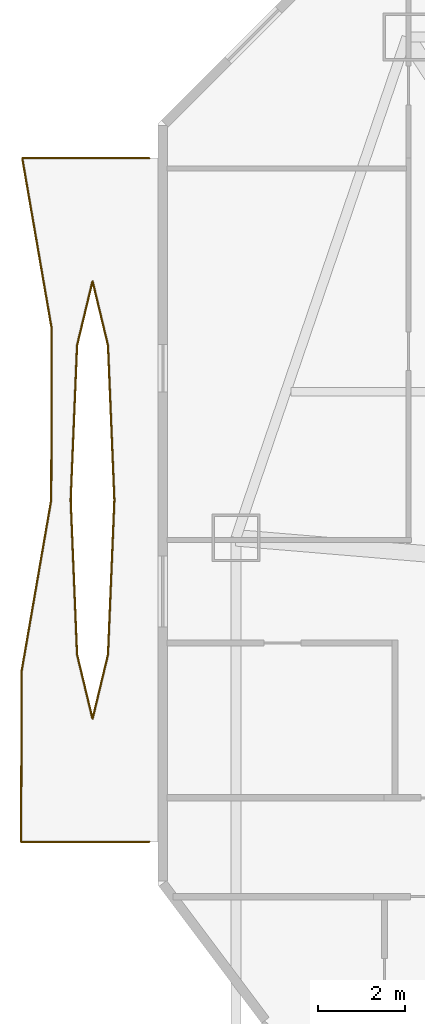
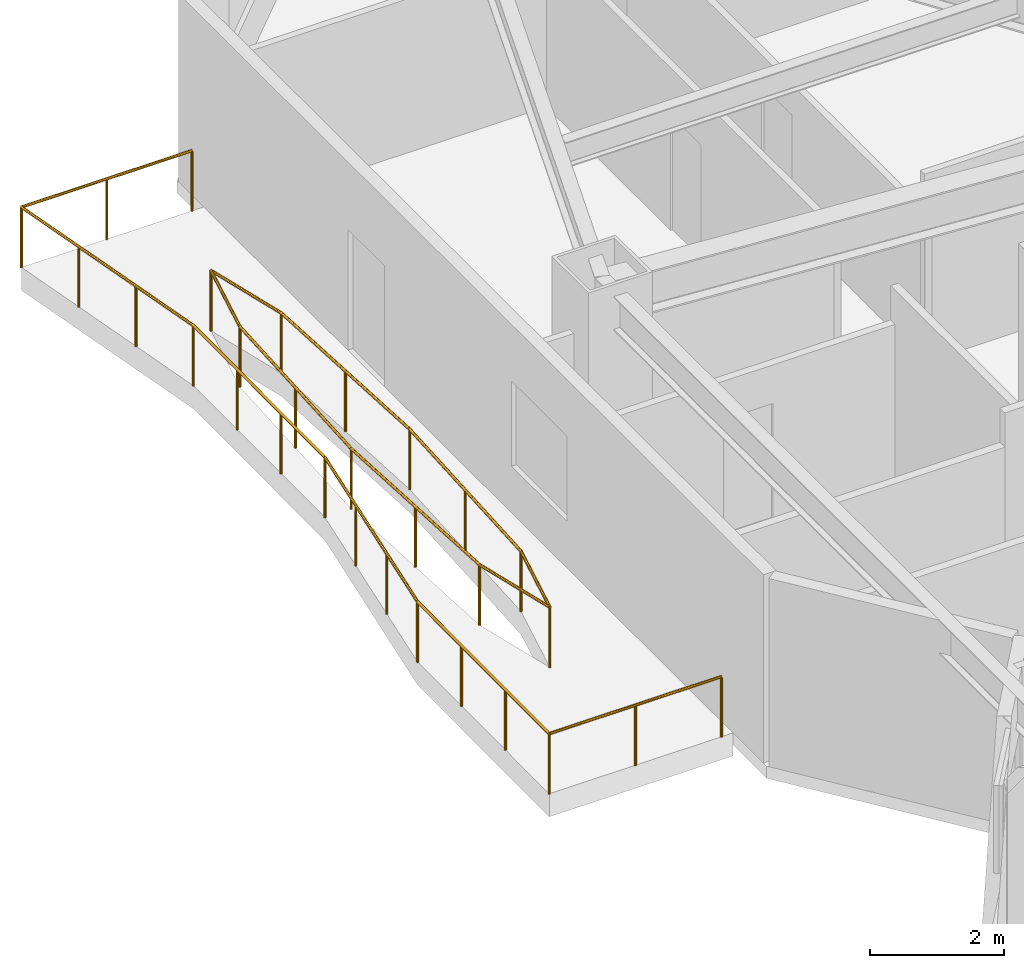
# One storey, part 16 of 16: 4 railings.
"""IFC4 building model written with IfcOpenShell, lengths in metres."""

from ifc_helpers import new_model, si_unit, direction, frame, origin, origin_2d, place, context, subcontext, project, spatial, circle, extrude, material, type_object, element, save


model = new_model("IFC4")

# Units and contexts
model_context = context("Model", 3, precision=1e-05, world=origin(), true_north=direction((0.0, 1.0)))
body_context = subcontext(model_context, "Body", "Model", "MODEL_VIEW")
ifc_project = project(units=[si_unit("LENGTHUNIT", "METRE"), si_unit("AREAUNIT", "SQUARE_METRE"), si_unit("VOLUMEUNIT", "CUBIC_METRE"), si_unit("PLANEANGLEUNIT", "RADIAN"), si_unit("MASSUNIT", "GRAM", prefix="KILO")], contexts=[model_context])

# Site, building, storey
site_placement = place(None, origin())
site = spatial("IfcSite", under=ifc_project, at=site_placement, CompositionType="ELEMENT")
building_placement = place(site_placement, origin())
building = spatial("IfcBuilding", under=site, at=building_placement, Name="Khamvora Tower", CompositionType="ELEMENT")
storey_placement = place(building_placement, frame((0.0, 0.0, 55.199951171875)))
storey = spatial("IfcBuildingStorey", under=building, at=storey_placement, Name="L13", CompositionType="ELEMENT", Elevation=55.199951171875)

# Railings
ifc_material = material(Name="Stainless Steel 316 and Laminated Glass", Category="steel")
railing_type = type_object("IfcRailingType", Name="RAL-GAL-1120", PredefinedType="GUARDRAIL", material=ifc_material)
railing_1_placement = place(storey_placement, frame((3.800048828125, 32.199951171875, 0.0)))
element("IfcRailing", 1, at=railing_1_placement, inside=storey, type_object=railing_type, Name="L13 lens gallery south perimeter guardrail WL2", PredefinedType="GUARDRAIL", context=body_context, shape_type="SweptSolid", body=[
    extrude(circle(Radius=0.02392578125, at=origin_2d()), frame((0.0, 0.0, 1.09619140625), z_axis=(-1.0, 0.0, 0.0), x_axis=(0.0, -1.0, 0.0)), (0.0, 0.0, 1.0), 2.967041015625),
    extrude(circle(Radius=0.02392578125, at=origin_2d()), frame((-2.967041015625, 0.0, 1.09619140625), z_axis=(0.003275833836, 0.999994634442, 0.0), x_axis=(-0.999994634442, 0.003275833836, 0.0)), (0.0, 0.0, 1.0), 3.949951171875),
    extrude(circle(Radius=0.02392578125, at=origin_2d()), frame((-2.9541015625, 3.949951171875, 1.09619140625), z_axis=(0.17040043076, 0.985374899821, 0.0), x_axis=(-0.985374899821, 0.17040043076, 0.0)), (0.0, 0.0, 1.0), 4.0087890625),
    extrude(circle(Radius=0.02099609375, at=origin_2d()), origin(), (0.0, 0.0, 1.0), 1.072021484375),
    extrude(circle(Radius=0.02099609375, at=origin_2d()), frame((-1.4833984375, 0.0, 0.0)), (0.0, 0.0, 1.0), 1.072021484375),
    extrude(circle(Radius=0.02099609375, at=origin_2d()), frame((-2.967041015625, 0.0, 0.0)), (0.0, 0.0, 1.0), 1.072021484375),
    extrude(circle(Radius=0.02099609375, at=origin_2d()), frame((-2.962646484375, 1.316650390625, 0.0)), (0.0, 0.0, 1.0), 1.072021484375),
    extrude(circle(Radius=0.02099609375, at=origin_2d()), frame((-2.95849609375, 2.63330078125, 0.0)), (0.0, 0.0, 1.0), 1.072021484375),
    extrude(circle(Radius=0.02099609375, at=origin_2d()), frame((-2.9541015625, 3.949951171875, 0.0)), (0.0, 0.0, 1.0), 1.072021484375),
    extrude(circle(Radius=0.02099609375, at=origin_2d()), frame((-2.726318359375, 5.2666015625, 0.0)), (0.0, 0.0, 1.0), 1.072021484375),
    extrude(circle(Radius=0.02099609375, at=origin_2d()), frame((-2.498779296875, 6.58349609375, 0.0)), (0.0, 0.0, 1.0), 1.072021484375),
    extrude(circle(Radius=0.02099609375, at=origin_2d()), frame((-2.27099609375, 7.900146484375, 0.0)), (0.0, 0.0, 1.0), 1.072021484375),
])
railing_2_placement = place(storey_placement, frame((1.529052734375, 40.10009765625, 0.0)))
element("IfcRailing", 2, at=railing_2_placement, inside=storey, type_object=railing_type, Name="L13 lens gallery north perimeter guardrail WL2", PredefinedType="GUARDRAIL", context=body_context, shape_type="SweptSolid", body=[
    extrude(circle(Radius=0.02392578125, at=origin_2d()), frame((0.0, 0.0, 1.09619140625), z_axis=(0.003275833836, 0.999994634442, 0.0), x_axis=(-0.999994634442, 0.003275833836, 0.0)), (0.0, 0.0, 1.0), 3.949951171875),
    extrude(circle(Radius=0.02392578125, at=origin_2d()), frame((0.012939453125, 3.949951171875, 1.09619140625), z_axis=(-0.170114955113, 0.985424224406, 0.0), x_axis=(-0.985424224406, -0.170114955113, 0.0)), (0.0, 0.0, 1.0), 4.00830078125),
    extrude(circle(Radius=0.02392578125, at=origin_2d()), frame((-0.6689453125, 7.89990234375, 1.09619140625), z_axis=(1.0, 0.0, 0.0), x_axis=(0.0, 1.0, 0.0)), (0.0, 0.0, 1.0), 2.93994140625),
    extrude(circle(Radius=0.02099609375, at=origin_2d()), origin(), (0.0, 0.0, 1.0), 1.072021484375),
    extrude(circle(Radius=0.02099609375, at=origin_2d()), frame((0.00439453125, 1.316650390625, 0.0)), (0.0, 0.0, 1.0), 1.072021484375),
    extrude(circle(Radius=0.02099609375, at=origin_2d()), frame((0.008544921875, 2.63330078125, 0.0)), (0.0, 0.0, 1.0), 1.072021484375),
    extrude(circle(Radius=0.02099609375, at=origin_2d()), frame((0.012939453125, 3.949951171875, 0.0)), (0.0, 0.0, 1.0), 1.072021484375),
    extrude(circle(Radius=0.02099609375, at=origin_2d()), frame((-0.21435546875, 5.2666015625, 0.0)), (0.0, 0.0, 1.0), 1.072021484375),
    extrude(circle(Radius=0.02099609375, at=origin_2d()), frame((-0.441650390625, 6.583251953125, 0.0)), (0.0, 0.0, 1.0), 1.072021484375),
    extrude(circle(Radius=0.02099609375, at=origin_2d()), frame((-0.6689453125, 7.89990234375, 0.0)), (0.0, 0.0, 1.0), 1.072021484375),
    extrude(circle(Radius=0.02099609375, at=origin_2d()), frame((0.801025390625, 7.89990234375, 0.0)), (0.0, 0.0, 1.0), 1.072021484375),
    extrude(circle(Radius=0.02099609375, at=origin_2d()), frame((2.27099609375, 7.89990234375, 0.0)), (0.0, 0.0, 1.0), 1.072021484375),
])
railing_3_placement = place(storey_placement, frame((2.989013671875, 40.10009765625, 0.0)))
element("IfcRailing", 3, at=railing_3_placement, inside=storey, type_object=railing_type, Name="L13 lens gallery void guardrail WL2A", PredefinedType="GUARDRAIL", context=body_context, shape_type="SweptSolid", body=[
    extrude(circle(Radius=0.02392578125, at=origin_2d()), frame((0.0, 0.0, 1.09619140625), z_axis=(-0.041349567233, 0.999144740911, 0.0), x_axis=(-0.999144740911, -0.041349567233, 0.0)), (0.0, 0.0, 1.0), 3.578125),
    extrude(circle(Radius=0.02392578125, at=origin_2d()), frame((-0.14794921875, 3.574951171875, 1.09619140625), z_axis=(-0.233700305622, 0.972308678945, 0.0), x_axis=(-0.972308678945, -0.233700305622, 0.0)), (0.0, 0.0, 1.0), 1.523193359375),
    extrude(circle(Radius=0.02392578125, at=origin_2d()), frame((-0.50390625, 5.055908203125, 1.09619140625), z_axis=(-0.233851831104, -0.972272246384, 0.0), x_axis=(0.972272246384, -0.233851831104, 0.0)), (0.0, 0.0, 1.0), 1.523193359375),
    extrude(circle(Radius=0.02392578125, at=origin_2d()), frame((-0.860107421875, 3.574951171875, 1.09619140625), z_axis=(-0.041349567233, -0.999144740911, 0.0), x_axis=(0.999144740911, -0.041349567233, 0.0)), (0.0, 0.0, 1.0), 3.578125),
    extrude(circle(Radius=0.02099609375, at=origin_2d()), origin(), (0.0, 0.0, 1.0), 1.072021484375),
    extrude(circle(Radius=0.02099609375, at=origin_2d()), frame((-0.073974609375, 1.78759765625, 0.0)), (0.0, 0.0, 1.0), 1.072021484375),
    extrude(circle(Radius=0.02099609375, at=origin_2d()), frame((-0.14794921875, 3.574951171875, 0.0)), (0.0, 0.0, 1.0), 1.072021484375),
    extrude(circle(Radius=0.02099609375, at=origin_2d()), frame((-0.50390625, 5.055908203125, 0.0)), (0.0, 0.0, 1.0), 1.072021484375),
    extrude(circle(Radius=0.02099609375, at=origin_2d()), frame((-0.860107421875, 3.574951171875, 0.0)), (0.0, 0.0, 1.0), 1.072021484375),
    extrude(circle(Radius=0.02099609375, at=origin_2d()), frame((-0.93408203125, 1.78759765625, 0.0)), (0.0, 0.0, 1.0), 1.072021484375),
    extrude(circle(Radius=0.02099609375, at=origin_2d()), frame((-1.008056640625, 0.0, 0.0)), (0.0, 0.0, 1.0), 1.072021484375),
])
railing_4_placement = place(storey_placement, frame((1.98095703125, 40.10009765625, 0.0)))
element("IfcRailing", 4, at=railing_4_placement, inside=storey, type_object=railing_type, Name="L13 lens gallery void guardrail WL2B", PredefinedType="GUARDRAIL", context=body_context, shape_type="SweptSolid", body=[
    extrude(circle(Radius=0.02392578125, at=origin_2d()), frame((0.0, 0.0, 1.09619140625), z_axis=(0.041346748408, -0.999144857564, 0.0), x_axis=(0.999144857564, 0.041346748408, 0.0)), (0.0, 0.0, 1.0), 3.578369140625),
    extrude(circle(Radius=0.02392578125, at=origin_2d()), frame((0.14794921875, -3.5751953125, 1.09619140625), z_axis=(0.233851831104, -0.972272246384, 0.0), x_axis=(0.972272246384, 0.233851831104, 0.0)), (0.0, 0.0, 1.0), 1.523193359375),
    extrude(circle(Radius=0.02392578125, at=origin_2d()), frame((0.504150390625, -5.05615234375, 1.09619140625), z_axis=(0.233700305622, 0.972308678945, 0.0), x_axis=(-0.972308678945, 0.233700305622, 0.0)), (0.0, 0.0, 1.0), 1.523193359375),
    extrude(circle(Radius=0.02392578125, at=origin_2d()), frame((0.860107421875, -3.5751953125, 1.09619140625), z_axis=(0.041346748408, 0.999144857564, 0.0), x_axis=(-0.999144857564, 0.041346748408, 0.0)), (0.0, 0.0, 1.0), 3.578369140625),
    extrude(circle(Radius=0.02099609375, at=origin_2d()), origin(), (0.0, 0.0, 1.0), 1.072021484375),
    extrude(circle(Radius=0.02099609375, at=origin_2d()), frame((0.073974609375, -1.78759765625, 0.0)), (0.0, 0.0, 1.0), 1.072021484375),
    extrude(circle(Radius=0.02099609375, at=origin_2d()), frame((0.14794921875, -3.5751953125, 0.0)), (0.0, 0.0, 1.0), 1.072021484375),
    extrude(circle(Radius=0.02099609375, at=origin_2d()), frame((0.504150390625, -5.05615234375, 0.0)), (0.0, 0.0, 1.0), 1.072021484375),
    extrude(circle(Radius=0.02099609375, at=origin_2d()), frame((0.860107421875, -3.5751953125, 0.0)), (0.0, 0.0, 1.0), 1.072021484375),
    extrude(circle(Radius=0.02099609375, at=origin_2d()), frame((0.93408203125, -1.78759765625, 0.0)), (0.0, 0.0, 1.0), 1.072021484375),
    extrude(circle(Radius=0.02099609375, at=origin_2d()), frame((1.008056640625, 0.0, 0.0)), (0.0, 0.0, 1.0), 1.072021484375),
])

save(model, "model.ifc")
